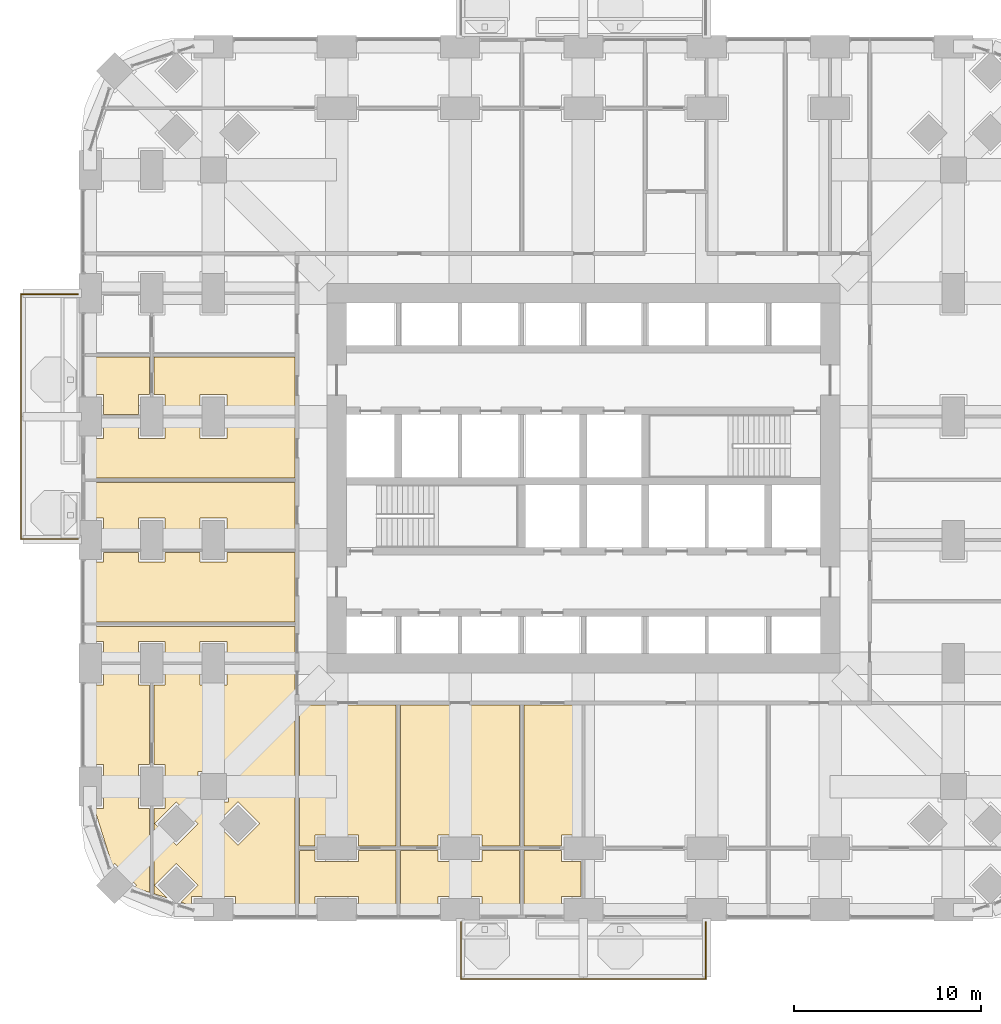
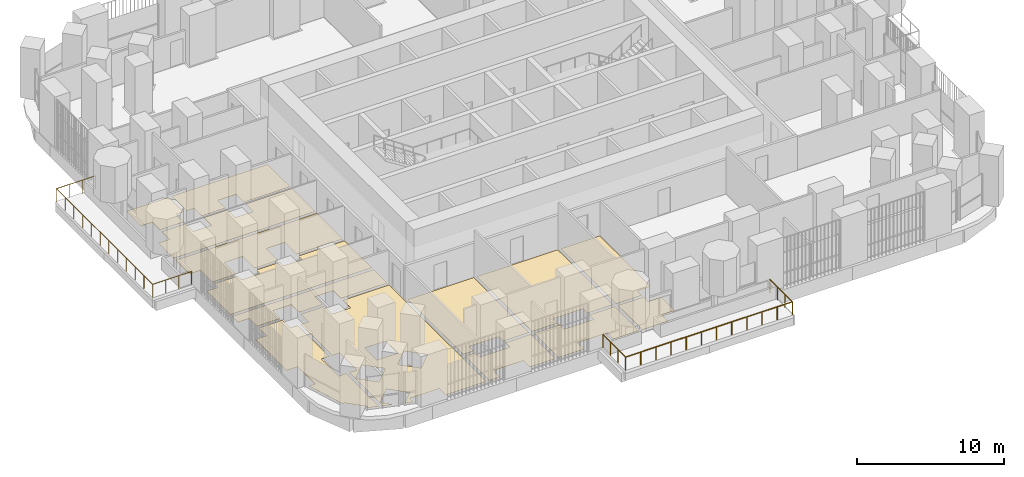
# One storey, part 22 of 26: 14 coverings, 2 railings.
"""IFC4 building model written with IfcOpenShell, lengths in metres."""

from ifc_helpers import new_model, si_unit, direction, frame, origin, place, context, subcontext, project, spatial, polyline, outline, extrude, material, layer, layer_set, type_object, element, save


model = new_model("IFC4")

# Units and contexts
model_context = context("Model", 3, precision=1e-05, world=origin(), true_north=direction((0.0, 1.0)))
body_context = subcontext(model_context, "Body", "Model", "MODEL_VIEW")
ifc_project = project(units=[si_unit("LENGTHUNIT", "METRE"), si_unit("AREAUNIT", "SQUARE_METRE"), si_unit("VOLUMEUNIT", "CUBIC_METRE"), si_unit("PLANEANGLEUNIT", "RADIAN"), si_unit("MASSUNIT", "GRAM", prefix="KILO")], contexts=[model_context])

# Site, building, storey
site_placement = place(None, origin())
site = spatial("IfcSite", under=ifc_project, at=site_placement, CompositionType="ELEMENT")
building_placement = place(site_placement, origin())
building = spatial("IfcBuilding", under=site, at=building_placement, Name="Cobogo Forest Laboratory Tower", CompositionType="ELEMENT")
storey_placement = place(building_placement, frame((0.0, 0.0, 33.89990234375)))
storey = spatial("IfcBuildingStorey", under=building, at=storey_placement, Name="L07", CompositionType="ELEMENT", Elevation=33.89990234375)

# Railings
ifc_material_1 = material(Name="Laminated glass balustrade", Category="glass")
railing_type = type_object("IfcRailingType", Name="BG1 glass balustrade 1100", PredefinedType="GUARDRAIL", material=ifc_material_1)
railing_1_placement = place(storey_placement, frame((19.85009765625, -0.64990234375, 0.0)))
element("IfcRailing", 1, at=railing_1_placement, inside=storey, type_object=railing_type, Name="Balcony balustrade BAL-S1 L07", PredefinedType="GUARDRAIL", context=body_context, shape_type="SweptSolid", body=[
    extrude(outline(polyline([(0.022216796875, 0.00927734375), (0.00927734375, 0.022216796875), (-0.00927734375, 0.022216796875), (-0.022216796875, 0.00927734375), (-0.022216796875, -0.00927734375), (-0.00927734375, -0.022216796875), (0.00927734375, -0.022216796875), (0.022216796875, -0.00927734375), (0.022216796875, 0.00927734375)])), frame((0.0, 0.0, 1.077880859375), z_axis=(0.0, -1.0, 0.0), x_axis=(1.0, 0.0, 0.0)), (0.0, 0.0, 1.0), 3.050048828125),
    extrude(outline(polyline([(0.022216796875, 0.00927734375), (0.00927734375, 0.022216796875), (-0.00927734375, 0.022216796875), (-0.022216796875, 0.00927734375), (-0.022216796875, -0.00927734375), (-0.00927734375, -0.022216796875), (0.00927734375, -0.022216796875), (0.022216796875, -0.00927734375), (0.022216796875, 0.00927734375)])), frame((0.0, -3.050048828125, 1.077880859375), z_axis=(1.0, 0.0, 0.0), x_axis=(0.0, 1.0, 0.0)), (0.0, 0.0, 1.0), 13.099853515625),
    extrude(outline(polyline([(0.022216796875, 0.00927734375), (0.00927734375, 0.022216796875), (-0.00927734375, 0.022216796875), (-0.022216796875, 0.00927734375), (-0.022216796875, -0.00927734375), (-0.00927734375, -0.022216796875), (0.00927734375, -0.022216796875), (0.022216796875, -0.00927734375), (0.022216796875, 0.00927734375)])), frame((13.099853515625, -3.050048828125, 1.077880859375), z_axis=(0.0, 1.0, 0.0), x_axis=(-1.0, 0.0, 0.0)), (0.0, 0.0, 1.0), 3.050048828125),
    extrude(outline(polyline([(0.019287109375, 0.008056640625), (0.008056640625, 0.019287109375), (-0.008056640625, 0.019287109375), (-0.019287109375, 0.008056640625), (-0.019287109375, -0.008056640625), (-0.008056640625, -0.019287109375), (0.008056640625, -0.019287109375), (0.019287109375, -0.008056640625), (0.019287109375, 0.008056640625)])), origin(), (0.0, 0.0, 1.0), 1.077880859375),
    extrude(outline(polyline([(0.019287109375, 0.008056640625), (0.008056640625, 0.019287109375), (-0.008056640625, 0.019287109375), (-0.019287109375, 0.008056640625), (-0.019287109375, -0.008056640625), (-0.008056640625, -0.019287109375), (0.008056640625, -0.019287109375), (0.019287109375, -0.008056640625), (0.019287109375, 0.008056640625)])), frame((0.0, -1.0166015625, 0.0)), (0.0, 0.0, 1.0), 1.077880859375),
    extrude(outline(polyline([(0.019287109375, 0.008056640625), (0.008056640625, 0.019287109375), (-0.008056640625, 0.019287109375), (-0.019287109375, 0.008056640625), (-0.019287109375, -0.008056640625), (-0.008056640625, -0.019287109375), (0.008056640625, -0.019287109375), (0.019287109375, -0.008056640625), (0.019287109375, 0.008056640625)])), frame((0.0, -2.033447265625, 0.0)), (0.0, 0.0, 1.0), 1.077880859375),
    extrude(outline(polyline([(0.019287109375, 0.008056640625), (0.008056640625, 0.019287109375), (-0.008056640625, 0.019287109375), (-0.019287109375, 0.008056640625), (-0.019287109375, -0.008056640625), (-0.008056640625, -0.019287109375), (0.008056640625, -0.019287109375), (0.019287109375, -0.008056640625), (0.019287109375, 0.008056640625)])), frame((0.0, -3.050048828125, 0.0)), (0.0, 0.0, 1.0), 1.077880859375),
    extrude(outline(polyline([(0.019287109375, 0.008056640625), (0.008056640625, 0.019287109375), (-0.008056640625, 0.019287109375), (-0.019287109375, 0.008056640625), (-0.019287109375, -0.008056640625), (-0.008056640625, -0.019287109375), (0.008056640625, -0.019287109375), (0.019287109375, -0.008056640625), (0.019287109375, 0.008056640625)])), frame((1.19091796875, -3.050048828125, 0.0)), (0.0, 0.0, 1.0), 1.077880859375),
    extrude(outline(polyline([(0.019287109375, 0.008056640625), (0.008056640625, 0.019287109375), (-0.008056640625, 0.019287109375), (-0.019287109375, 0.008056640625), (-0.019287109375, -0.008056640625), (-0.008056640625, -0.019287109375), (0.008056640625, -0.019287109375), (0.019287109375, -0.008056640625), (0.019287109375, 0.008056640625)])), frame((2.3818359375, -3.050048828125, 0.0)), (0.0, 0.0, 1.0), 1.077880859375),
    extrude(outline(polyline([(0.019287109375, 0.008056640625), (0.008056640625, 0.019287109375), (-0.008056640625, 0.019287109375), (-0.019287109375, 0.008056640625), (-0.019287109375, -0.008056640625), (-0.008056640625, -0.019287109375), (0.008056640625, -0.019287109375), (0.019287109375, -0.008056640625), (0.019287109375, 0.008056640625)])), frame((3.57275390625, -3.050048828125, 0.0)), (0.0, 0.0, 1.0), 1.077880859375),
    extrude(outline(polyline([(0.019287109375, 0.008056640625), (0.008056640625, 0.019287109375), (-0.008056640625, 0.019287109375), (-0.019287109375, 0.008056640625), (-0.019287109375, -0.008056640625), (-0.008056640625, -0.019287109375), (0.008056640625, -0.019287109375), (0.019287109375, -0.008056640625), (0.019287109375, 0.008056640625)])), frame((4.763671875, -3.050048828125, 0.0)), (0.0, 0.0, 1.0), 1.077880859375),
    extrude(outline(polyline([(0.019287109375, 0.008056640625), (0.008056640625, 0.019287109375), (-0.008056640625, 0.019287109375), (-0.019287109375, 0.008056640625), (-0.019287109375, -0.008056640625), (-0.008056640625, -0.019287109375), (0.008056640625, -0.019287109375), (0.019287109375, -0.008056640625), (0.019287109375, 0.008056640625)])), frame((5.95458984375, -3.050048828125, 0.0)), (0.0, 0.0, 1.0), 1.077880859375),
    extrude(outline(polyline([(0.019287109375, 0.008056640625), (0.008056640625, 0.019287109375), (-0.008056640625, 0.019287109375), (-0.019287109375, 0.008056640625), (-0.019287109375, -0.008056640625), (-0.008056640625, -0.019287109375), (0.008056640625, -0.019287109375), (0.019287109375, -0.008056640625), (0.019287109375, 0.008056640625)])), frame((7.145263671875, -3.050048828125, 0.0)), (0.0, 0.0, 1.0), 1.077880859375),
    extrude(outline(polyline([(0.019287109375, 0.008056640625), (0.008056640625, 0.019287109375), (-0.008056640625, 0.019287109375), (-0.019287109375, 0.008056640625), (-0.019287109375, -0.008056640625), (-0.008056640625, -0.019287109375), (0.008056640625, -0.019287109375), (0.019287109375, -0.008056640625), (0.019287109375, 0.008056640625)])), frame((8.336181640625, -3.050048828125, 0.0)), (0.0, 0.0, 1.0), 1.077880859375),
    extrude(outline(polyline([(0.019287109375, 0.008056640625), (0.008056640625, 0.019287109375), (-0.008056640625, 0.019287109375), (-0.019287109375, 0.008056640625), (-0.019287109375, -0.008056640625), (-0.008056640625, -0.019287109375), (0.008056640625, -0.019287109375), (0.019287109375, -0.008056640625), (0.019287109375, 0.008056640625)])), frame((9.527099609375, -3.050048828125, 0.0)), (0.0, 0.0, 1.0), 1.077880859375),
    extrude(outline(polyline([(0.019287109375, 0.008056640625), (0.008056640625, 0.019287109375), (-0.008056640625, 0.019287109375), (-0.019287109375, 0.008056640625), (-0.019287109375, -0.008056640625), (-0.008056640625, -0.019287109375), (0.008056640625, -0.019287109375), (0.019287109375, -0.008056640625), (0.019287109375, 0.008056640625)])), frame((10.718017578125, -3.050048828125, 0.0)), (0.0, 0.0, 1.0), 1.077880859375),
    extrude(outline(polyline([(0.019287109375, 0.008056640625), (0.008056640625, 0.019287109375), (-0.008056640625, 0.019287109375), (-0.019287109375, 0.008056640625), (-0.019287109375, -0.008056640625), (-0.008056640625, -0.019287109375), (0.008056640625, -0.019287109375), (0.019287109375, -0.008056640625), (0.019287109375, 0.008056640625)])), frame((11.908935546875, -3.050048828125, 0.0)), (0.0, 0.0, 1.0), 1.077880859375),
    extrude(outline(polyline([(0.019287109375, 0.008056640625), (0.008056640625, 0.019287109375), (-0.008056640625, 0.019287109375), (-0.019287109375, 0.008056640625), (-0.019287109375, -0.008056640625), (-0.008056640625, -0.019287109375), (0.008056640625, -0.019287109375), (0.019287109375, -0.008056640625), (0.019287109375, 0.008056640625)])), frame((13.099853515625, -3.050048828125, 0.0)), (0.0, 0.0, 1.0), 1.077880859375),
    extrude(outline(polyline([(0.019287109375, 0.008056640625), (0.008056640625, 0.019287109375), (-0.008056640625, 0.019287109375), (-0.019287109375, 0.008056640625), (-0.019287109375, -0.008056640625), (-0.008056640625, -0.019287109375), (0.008056640625, -0.019287109375), (0.019287109375, -0.008056640625), (0.019287109375, 0.008056640625)])), frame((13.099853515625, -2.033447265625, 0.0)), (0.0, 0.0, 1.0), 1.077880859375),
    extrude(outline(polyline([(0.019287109375, 0.008056640625), (0.008056640625, 0.019287109375), (-0.008056640625, 0.019287109375), (-0.019287109375, 0.008056640625), (-0.019287109375, -0.008056640625), (-0.008056640625, -0.019287109375), (0.008056640625, -0.019287109375), (0.019287109375, -0.008056640625), (0.019287109375, 0.008056640625)])), frame((13.099853515625, -1.0166015625, 0.0)), (0.0, 0.0, 1.0), 1.077880859375),
    extrude(outline(polyline([(0.019287109375, 0.008056640625), (0.008056640625, 0.019287109375), (-0.008056640625, 0.019287109375), (-0.019287109375, 0.008056640625), (-0.019287109375, -0.008056640625), (-0.008056640625, -0.019287109375), (0.008056640625, -0.019287109375), (0.019287109375, -0.008056640625), (0.019287109375, 0.008056640625)])), frame((13.099853515625, 0.0, 0.0)), (0.0, 0.0, 1.0), 1.077880859375),
])
railing_2_placement = place(storey_placement, frame((-0.64990234375, 19.85009765625, 0.0)))
element("IfcRailing", 2, at=railing_2_placement, inside=storey, type_object=railing_type, Name="Balcony balustrade BAL-W1 L07", PredefinedType="GUARDRAIL", context=body_context, shape_type="SweptSolid", body=[
    extrude(outline(polyline([(0.022216796875, 0.00927734375), (0.00927734375, 0.022216796875), (-0.00927734375, 0.022216796875), (-0.022216796875, 0.00927734375), (-0.022216796875, -0.00927734375), (-0.00927734375, -0.022216796875), (0.00927734375, -0.022216796875), (0.022216796875, -0.00927734375), (0.022216796875, 0.00927734375)])), frame((0.0, 0.0, 1.077880859375), z_axis=(-1.0, 0.0, 0.0), x_axis=(0.0, -1.0, 0.0)), (0.0, 0.0, 1.0), 3.050048828125),
    extrude(outline(polyline([(0.022216796875, 0.00927734375), (0.00927734375, 0.022216796875), (-0.00927734375, 0.022216796875), (-0.022216796875, 0.00927734375), (-0.022216796875, -0.00927734375), (-0.00927734375, -0.022216796875), (0.00927734375, -0.022216796875), (0.022216796875, -0.00927734375), (0.022216796875, 0.00927734375)])), frame((-3.050048828125, 0.0, 1.077880859375), z_axis=(0.0, 1.0, 0.0), x_axis=(-1.0, 0.0, 0.0)), (0.0, 0.0, 1.0), 13.099853515625),
    extrude(outline(polyline([(0.022216796875, 0.00927734375), (0.00927734375, 0.022216796875), (-0.00927734375, 0.022216796875), (-0.022216796875, 0.00927734375), (-0.022216796875, -0.00927734375), (-0.00927734375, -0.022216796875), (0.00927734375, -0.022216796875), (0.022216796875, -0.00927734375), (0.022216796875, 0.00927734375)])), frame((-3.050048828125, 13.099853515625, 1.077880859375), z_axis=(1.0, 0.0, 0.0), x_axis=(0.0, 1.0, 0.0)), (0.0, 0.0, 1.0), 3.050048828125),
    extrude(outline(polyline([(0.019287109375, 0.008056640625), (0.008056640625, 0.019287109375), (-0.008056640625, 0.019287109375), (-0.019287109375, 0.008056640625), (-0.019287109375, -0.008056640625), (-0.008056640625, -0.019287109375), (0.008056640625, -0.019287109375), (0.019287109375, -0.008056640625), (0.019287109375, 0.008056640625)])), origin(), (0.0, 0.0, 1.0), 1.077880859375),
    extrude(outline(polyline([(0.019287109375, 0.008056640625), (0.008056640625, 0.019287109375), (-0.008056640625, 0.019287109375), (-0.019287109375, 0.008056640625), (-0.019287109375, -0.008056640625), (-0.008056640625, -0.019287109375), (0.008056640625, -0.019287109375), (0.019287109375, -0.008056640625), (0.019287109375, 0.008056640625)])), frame((-1.0166015625, 0.0, 0.0)), (0.0, 0.0, 1.0), 1.077880859375),
    extrude(outline(polyline([(0.019287109375, 0.008056640625), (0.008056640625, 0.019287109375), (-0.008056640625, 0.019287109375), (-0.019287109375, 0.008056640625), (-0.019287109375, -0.008056640625), (-0.008056640625, -0.019287109375), (0.008056640625, -0.019287109375), (0.019287109375, -0.008056640625), (0.019287109375, 0.008056640625)])), frame((-2.033447265625, 0.0, 0.0)), (0.0, 0.0, 1.0), 1.077880859375),
    extrude(outline(polyline([(0.019287109375, 0.008056640625), (0.008056640625, 0.019287109375), (-0.008056640625, 0.019287109375), (-0.019287109375, 0.008056640625), (-0.019287109375, -0.008056640625), (-0.008056640625, -0.019287109375), (0.008056640625, -0.019287109375), (0.019287109375, -0.008056640625), (0.019287109375, 0.008056640625)])), frame((-3.050048828125, 0.0, 0.0)), (0.0, 0.0, 1.0), 1.077880859375),
    extrude(outline(polyline([(0.019287109375, 0.008056640625), (0.008056640625, 0.019287109375), (-0.008056640625, 0.019287109375), (-0.019287109375, 0.008056640625), (-0.019287109375, -0.008056640625), (-0.008056640625, -0.019287109375), (0.008056640625, -0.019287109375), (0.019287109375, -0.008056640625), (0.019287109375, 0.008056640625)])), frame((-3.050048828125, 1.19091796875, 0.0)), (0.0, 0.0, 1.0), 1.077880859375),
    extrude(outline(polyline([(0.019287109375, 0.008056640625), (0.008056640625, 0.019287109375), (-0.008056640625, 0.019287109375), (-0.019287109375, 0.008056640625), (-0.019287109375, -0.008056640625), (-0.008056640625, -0.019287109375), (0.008056640625, -0.019287109375), (0.019287109375, -0.008056640625), (0.019287109375, 0.008056640625)])), frame((-3.050048828125, 2.3818359375, 0.0)), (0.0, 0.0, 1.0), 1.077880859375),
    extrude(outline(polyline([(0.019287109375, 0.008056640625), (0.008056640625, 0.019287109375), (-0.008056640625, 0.019287109375), (-0.019287109375, 0.008056640625), (-0.019287109375, -0.008056640625), (-0.008056640625, -0.019287109375), (0.008056640625, -0.019287109375), (0.019287109375, -0.008056640625), (0.019287109375, 0.008056640625)])), frame((-3.050048828125, 3.57275390625, 0.0)), (0.0, 0.0, 1.0), 1.077880859375),
    extrude(outline(polyline([(0.019287109375, 0.008056640625), (0.008056640625, 0.019287109375), (-0.008056640625, 0.019287109375), (-0.019287109375, 0.008056640625), (-0.019287109375, -0.008056640625), (-0.008056640625, -0.019287109375), (0.008056640625, -0.019287109375), (0.019287109375, -0.008056640625), (0.019287109375, 0.008056640625)])), frame((-3.050048828125, 4.763671875, 0.0)), (0.0, 0.0, 1.0), 1.077880859375),
    extrude(outline(polyline([(0.019287109375, 0.008056640625), (0.008056640625, 0.019287109375), (-0.008056640625, 0.019287109375), (-0.019287109375, 0.008056640625), (-0.019287109375, -0.008056640625), (-0.008056640625, -0.019287109375), (0.008056640625, -0.019287109375), (0.019287109375, -0.008056640625), (0.019287109375, 0.008056640625)])), frame((-3.050048828125, 5.95458984375, 0.0)), (0.0, 0.0, 1.0), 1.077880859375),
    extrude(outline(polyline([(0.019287109375, 0.008056640625), (0.008056640625, 0.019287109375), (-0.008056640625, 0.019287109375), (-0.019287109375, 0.008056640625), (-0.019287109375, -0.008056640625), (-0.008056640625, -0.019287109375), (0.008056640625, -0.019287109375), (0.019287109375, -0.008056640625), (0.019287109375, 0.008056640625)])), frame((-3.050048828125, 7.145263671875, 0.0)), (0.0, 0.0, 1.0), 1.077880859375),
    extrude(outline(polyline([(0.019287109375, 0.008056640625), (0.008056640625, 0.019287109375), (-0.008056640625, 0.019287109375), (-0.019287109375, 0.008056640625), (-0.019287109375, -0.008056640625), (-0.008056640625, -0.019287109375), (0.008056640625, -0.019287109375), (0.019287109375, -0.008056640625), (0.019287109375, 0.008056640625)])), frame((-3.050048828125, 8.336181640625, 0.0)), (0.0, 0.0, 1.0), 1.077880859375),
    extrude(outline(polyline([(0.019287109375, 0.008056640625), (0.008056640625, 0.019287109375), (-0.008056640625, 0.019287109375), (-0.019287109375, 0.008056640625), (-0.019287109375, -0.008056640625), (-0.008056640625, -0.019287109375), (0.008056640625, -0.019287109375), (0.019287109375, -0.008056640625), (0.019287109375, 0.008056640625)])), frame((-3.050048828125, 9.527099609375, 0.0)), (0.0, 0.0, 1.0), 1.077880859375),
    extrude(outline(polyline([(0.019287109375, 0.008056640625), (0.008056640625, 0.019287109375), (-0.008056640625, 0.019287109375), (-0.019287109375, 0.008056640625), (-0.019287109375, -0.008056640625), (-0.008056640625, -0.019287109375), (0.008056640625, -0.019287109375), (0.019287109375, -0.008056640625), (0.019287109375, 0.008056640625)])), frame((-3.050048828125, 10.718017578125, 0.0)), (0.0, 0.0, 1.0), 1.077880859375),
    extrude(outline(polyline([(0.019287109375, 0.008056640625), (0.008056640625, 0.019287109375), (-0.008056640625, 0.019287109375), (-0.019287109375, 0.008056640625), (-0.019287109375, -0.008056640625), (-0.008056640625, -0.019287109375), (0.008056640625, -0.019287109375), (0.019287109375, -0.008056640625), (0.019287109375, 0.008056640625)])), frame((-3.050048828125, 11.908935546875, 0.0)), (0.0, 0.0, 1.0), 1.077880859375),
    extrude(outline(polyline([(0.019287109375, 0.008056640625), (0.008056640625, 0.019287109375), (-0.008056640625, 0.019287109375), (-0.019287109375, 0.008056640625), (-0.019287109375, -0.008056640625), (-0.008056640625, -0.019287109375), (0.008056640625, -0.019287109375), (0.019287109375, -0.008056640625), (0.019287109375, 0.008056640625)])), frame((-3.050048828125, 13.099853515625, 0.0)), (0.0, 0.0, 1.0), 1.077880859375),
    extrude(outline(polyline([(0.019287109375, 0.008056640625), (0.008056640625, 0.019287109375), (-0.008056640625, 0.019287109375), (-0.019287109375, 0.008056640625), (-0.019287109375, -0.008056640625), (-0.008056640625, -0.019287109375), (0.008056640625, -0.019287109375), (0.019287109375, -0.008056640625), (0.019287109375, 0.008056640625)])), frame((-2.033447265625, 13.099853515625, 0.0)), (0.0, 0.0, 1.0), 1.077880859375),
    extrude(outline(polyline([(0.019287109375, 0.008056640625), (0.008056640625, 0.019287109375), (-0.008056640625, 0.019287109375), (-0.019287109375, 0.008056640625), (-0.019287109375, -0.008056640625), (-0.008056640625, -0.019287109375), (0.008056640625, -0.019287109375), (0.019287109375, -0.008056640625), (0.019287109375, 0.008056640625)])), frame((-1.0166015625, 13.099853515625, 0.0)), (0.0, 0.0, 1.0), 1.077880859375),
    extrude(outline(polyline([(0.019287109375, 0.008056640625), (0.008056640625, 0.019287109375), (-0.008056640625, 0.019287109375), (-0.019287109375, 0.008056640625), (-0.019287109375, -0.008056640625), (-0.008056640625, -0.019287109375), (0.008056640625, -0.019287109375), (0.019287109375, -0.008056640625), (0.019287109375, 0.008056640625)])), frame((0.0, 13.099853515625, 0.0)), (0.0, 0.0, 1.0), 1.077880859375),
])

# Coverings
ifc_material_2 = material(Name="Carpet tile on raised access floor", Category="flooring")
ifc_layer_1 = layer(ifc_material_2, 0.008056640625)
ifc_layer_set_1 = layer_set([ifc_layer_1], Name="CT1 carpet tile floor 8")
covering_type_1 = type_object("IfcCoveringType", Name="CT1 carpet tile floor 8", PredefinedType="FLOORING", material=ifc_layer_set_1)
covering_1_placement = place(storey_placement, origin())
element("IfcCovering", 3, at=covering_1_placement, inside=storey, type_object=covering_type_1, Name="Carpet floor L07-02", PredefinedType="FLOORING", context=body_context, shape_type="SweptSolid", body=[
    extrude(outline(polyline([(12.030029296875, 3.179931640625), (12.030029296875, 2.580078125), (14.3701171875, 2.580078125), (14.3701171875, 3.179931640625), (16.3798828125, 3.179931640625), (16.3798828125, -0.14990234375), (14.3701171875, -0.14990234375), (14.3701171875, 0.719970703125), (12.030029296875, 0.719970703125), (12.030029296875, -0.14990234375), (11.195068359375, -0.14990234375), (11.195068359375, 3.179931640625), (12.030029296875, 3.179931640625)])), origin(), (0.0, 0.0, 1.0), 0.008056640625),
])
covering_2_placement = place(storey_placement, origin())
element("IfcCovering", 4, at=covering_2_placement, inside=storey, type_object=covering_type_1, Name="Carpet floor L07-04", PredefinedType="FLOORING", context=body_context, shape_type="SweptSolid", body=[
    extrude(outline(polyline([(18.6298828125, 3.179931640625), (18.6298828125, 2.580078125), (20.969970703125, 2.580078125), (20.969970703125, 3.179931640625), (22.97998046875, 3.179931640625), (22.97998046875, -0.14990234375), (20.969970703125, -0.14990234375), (20.969970703125, 0.719970703125), (18.6298828125, 0.719970703125), (18.6298828125, -0.14990234375), (16.6201171875, -0.14990234375), (16.6201171875, 3.179931640625), (18.6298828125, 3.179931640625)])), origin(), (0.0, 0.0, 1.0), 0.008056640625),
])
covering_3_placement = place(storey_placement, origin())
element("IfcCovering", 5, at=covering_3_placement, inside=storey, type_object=covering_type_1, Name="Carpet floor L07-06", PredefinedType="FLOORING", context=body_context, shape_type="SweptSolid", body=[
    extrude(outline(polyline([(25.22998046875, 3.179931640625), (25.22998046875, 2.580078125), (26.280029296875, 2.580078125), (26.280029296875, 0.719970703125), (25.22998046875, 0.719970703125), (25.22998046875, -0.14990234375), (23.219970703125, -0.14990234375), (23.219970703125, 3.179931640625), (25.22998046875, 3.179931640625)])), origin(), (0.0, 0.0, 1.0), 0.008056640625),
])
covering_4_placement = place(storey_placement, origin())
element("IfcCovering", 6, at=covering_4_placement, inside=storey, type_object=covering_type_1, Name="Carpet floor L07-29", PredefinedType="FLOORING", context=body_context, shape_type="SweptSolid", body=[
    extrude(outline(polyline([(3.179931640625, 7.77001953125), (2.580078125, 7.77001953125), (2.580078125, 5.429931640625), (3.179931640625, 5.429931640625), (3.179931640625, 0.939697265625), (2.358642578125, 1.19921875), (2.477783203125, 1.318115234375), (1.318115234375, 2.477783203125), (1.19921875, 2.358642578125), (0.229248046875, 5.429931640625), (0.719970703125, 5.429931640625), (0.719970703125, 7.77001953125), (-0.14990234375, 7.77001953125), (-0.14990234375, 12.030029296875), (0.719970703125, 12.030029296875), (0.719970703125, 13.080078125), (2.580078125, 13.080078125), (2.580078125, 12.030029296875), (3.179931640625, 12.030029296875), (3.179931640625, 7.77001953125)])), origin(), (0.0, 0.0, 1.0), 0.008056640625),
])
covering_5_placement = place(storey_placement, origin())
element("IfcCovering", 7, at=covering_5_placement, inside=storey, type_object=covering_type_1, Name="Carpet floor L07-35", PredefinedType="FLOORING", context=body_context, shape_type="SweptSolid", body=[
    extrude(outline(polyline([(3.179931640625, 27.570068359375), (2.580078125, 27.570068359375), (2.580078125, 26.52001953125), (0.719970703125, 26.52001953125), (0.719970703125, 27.570068359375), (-0.14990234375, 27.570068359375), (-0.14990234375, 29.580078125), (3.179931640625, 29.580078125), (3.179931640625, 27.570068359375)])), origin(), (0.0, 0.0, 1.0), 0.008056640625),
])
ifc_material_3 = material(Name="Epoxy resin flooring", Category="flooring")
ifc_layer_2 = layer(ifc_material_3, 0.00390625)
ifc_layer_set_2 = layer_set([ifc_layer_2], Name="LF1 epoxy laboratory floor 4")
covering_type_2 = type_object("IfcCoveringType", Name="LF1 epoxy laboratory floor 4", PredefinedType="FLOORING", material=ifc_layer_set_2)
covering_6_placement = place(storey_placement, origin())
element("IfcCovering", 8, at=covering_6_placement, inside=storey, type_object=covering_type_2, Name="Epoxy laboratory floor L07-01", PredefinedType="FLOORING", context=body_context, shape_type="SweptSolid", body=[
    extrude(outline(polyline([(11.195068359375, 10.955078125), (16.3798828125, 10.955078125), (16.3798828125, 3.419921875), (14.3701171875, 3.419921875), (14.3701171875, 4.02001953125), (12.030029296875, 4.02001953125), (12.030029296875, 3.419921875), (11.195068359375, 3.419921875), (11.195068359375, 10.955078125)])), origin(), (0.0, 0.0, 1.0), 0.004150390625),
])
covering_7_placement = place(storey_placement, origin())
element("IfcCovering", 9, at=covering_7_placement, inside=storey, type_object=covering_type_2, Name="Epoxy laboratory floor L07-03", PredefinedType="FLOORING", context=body_context, shape_type="SweptSolid", body=[
    extrude(outline(polyline([(16.6201171875, 10.955078125), (22.97998046875, 10.955078125), (22.97998046875, 3.419921875), (20.969970703125, 3.419921875), (20.969970703125, 4.02001953125), (18.6298828125, 4.02001953125), (18.6298828125, 3.419921875), (16.6201171875, 3.419921875), (16.6201171875, 10.955078125)])), origin(), (0.0, 0.0, 1.0), 0.004150390625),
])
covering_8_placement = place(storey_placement, origin())
element("IfcCovering", 10, at=covering_8_placement, inside=storey, type_object=covering_type_2, Name="Epoxy laboratory floor L07-05", PredefinedType="FLOORING", context=body_context, shape_type="SweptSolid", body=[
    extrude(outline(polyline([(23.219970703125, 10.955078125), (26.280029296875, 10.955078125), (26.280029296875, 4.02001953125), (25.22998046875, 4.02001953125), (25.22998046875, 3.419921875), (23.219970703125, 3.419921875), (23.219970703125, 10.955078125)])), origin(), (0.0, 0.0, 1.0), 0.004150390625),
])
covering_9_placement = place(storey_placement, origin())
element("IfcCovering", 11, at=covering_9_placement, inside=storey, type_object=covering_type_2, Name="Epoxy laboratory floor L07-28", PredefinedType="FLOORING", context=body_context, shape_type="SweptSolid", body=[
    extrude(outline(polyline([(5.8798828125, 13.080078125), (5.8798828125, 12.030029296875), (7.320068359375, 12.030029296875), (7.320068359375, 13.080078125), (10.955078125, 13.080078125), (10.955078125, -0.14990234375), (7.77001953125, -0.14990234375), (7.77001953125, 0.719970703125), (5.429931640625, 0.719970703125), (5.429931640625, 0.229248046875), (4.86669921875, 0.406982421875), (5.777587890625, 1.318115234375), (4.617919921875, 2.477783203125), (3.458251953125, 1.318115234375), (4.1396484375, 0.63671875), (3.419921875, 0.864013671875), (3.419921875, 5.429931640625), (4.02001953125, 5.429931640625), (4.02001953125, 7.77001953125), (3.419921875, 7.77001953125), (3.419921875, 12.030029296875), (4.02001953125, 12.030029296875), (4.02001953125, 13.080078125), (5.8798828125, 13.080078125)]), holes=[polyline([(7.91796875, 5.777587890625), (6.75830078125, 4.617919921875), (7.91796875, 3.458251953125), (9.07763671875, 4.617919921875), (7.91796875, 5.777587890625)]), polyline([(5.780029296875, 7.419921875), (5.780029296875, 5.780029296875), (7.419921875, 5.780029296875), (7.419921875, 7.419921875), (5.780029296875, 7.419921875)]), polyline([(3.458251953125, 4.617919921875), (4.617919921875, 3.458251953125), (5.777587890625, 4.617919921875), (4.617919921875, 5.777587890625), (3.458251953125, 4.617919921875)])]), origin(), (0.0, 0.0, 1.0), 0.004150390625),
])
ifc_material_4 = material(Name="Ceramic floor tile", Category="flooring")
ifc_layer_3 = layer(ifc_material_4, 0.010009765625)
ifc_layer_set_3 = layer_set([ifc_layer_3], Name="TF1 ceramic tile floor 10")
covering_type_3 = type_object("IfcCoveringType", Name="TF1 ceramic tile floor 10", PredefinedType="FLOORING", material=ifc_layer_set_3)
covering_10_placement = place(storey_placement, origin())
element("IfcCovering", 12, at=covering_10_placement, inside=storey, type_object=covering_type_3, Name="Tile floor L07-30", PredefinedType="FLOORING", context=body_context, shape_type="SweptSolid", body=[
    extrude(outline(polyline([(10.955078125, 13.320068359375), (7.320068359375, 13.320068359375), (7.320068359375, 14.3701171875), (5.8798828125, 14.3701171875), (5.8798828125, 13.320068359375), (4.02001953125, 13.320068359375), (4.02001953125, 14.3701171875), (2.580078125, 14.3701171875), (2.580078125, 13.320068359375), (0.719970703125, 13.320068359375), (0.719970703125, 14.3701171875), (-0.14990234375, 14.3701171875), (-0.14990234375, 15.179931640625), (10.955078125, 15.179931640625), (10.955078125, 13.320068359375)])), origin(), (0.0, 0.0, 1.0), 0.010009765625),
])
covering_11_placement = place(storey_placement, origin())
element("IfcCovering", 13, at=covering_11_placement, inside=storey, type_object=covering_type_3, Name="Tile floor L07-31", PredefinedType="FLOORING", context=body_context, shape_type="SweptSolid", body=[
    extrude(outline(polyline([(10.955078125, 15.419921875), (-0.14990234375, 15.419921875), (-0.14990234375, 18.6298828125), (0.719970703125, 18.6298828125), (0.719970703125, 19.1298828125), (2.580078125, 19.1298828125), (2.580078125, 18.6298828125), (4.02001953125, 18.6298828125), (4.02001953125, 19.1298828125), (5.8798828125, 19.1298828125), (5.8798828125, 18.6298828125), (7.320068359375, 18.6298828125), (7.320068359375, 19.1298828125), (10.955078125, 19.1298828125), (10.955078125, 15.419921875)])), origin(), (0.0, 0.0, 1.0), 0.010009765625),
])
covering_12_placement = place(storey_placement, origin())
element("IfcCovering", 14, at=covering_12_placement, inside=storey, type_object=covering_type_3, Name="Tile floor L07-32", PredefinedType="FLOORING", context=body_context, shape_type="SweptSolid", body=[
    extrude(outline(polyline([(10.955078125, 19.3701171875), (7.320068359375, 19.3701171875), (7.320068359375, 20.969970703125), (5.8798828125, 20.969970703125), (5.8798828125, 19.3701171875), (4.02001953125, 19.3701171875), (4.02001953125, 20.969970703125), (2.580078125, 20.969970703125), (2.580078125, 19.3701171875), (0.719970703125, 19.3701171875), (0.719970703125, 20.969970703125), (-0.14990234375, 20.969970703125), (-0.14990234375, 22.8798828125), (10.955078125, 22.8798828125), (10.955078125, 19.3701171875)])), origin(), (0.0, 0.0, 1.0), 0.010009765625),
])
covering_13_placement = place(storey_placement, origin())
element("IfcCovering", 15, at=covering_13_placement, inside=storey, type_object=covering_type_3, Name="Tile floor L07-33", PredefinedType="FLOORING", context=body_context, shape_type="SweptSolid", body=[
    extrude(outline(polyline([(10.955078125, 23.1201171875), (-0.14990234375, 23.1201171875), (-0.14990234375, 25.22998046875), (0.719970703125, 25.22998046875), (0.719970703125, 26.280029296875), (2.580078125, 26.280029296875), (2.580078125, 25.22998046875), (4.02001953125, 25.22998046875), (4.02001953125, 26.280029296875), (5.8798828125, 26.280029296875), (5.8798828125, 25.22998046875), (7.320068359375, 25.22998046875), (7.320068359375, 26.280029296875), (10.955078125, 26.280029296875), (10.955078125, 23.1201171875)])), origin(), (0.0, 0.0, 1.0), 0.010009765625),
])
covering_14_placement = place(storey_placement, origin())
element("IfcCovering", 16, at=covering_14_placement, inside=storey, type_object=covering_type_3, Name="Tile floor L07-34", PredefinedType="FLOORING", context=body_context, shape_type="SweptSolid", body=[
    extrude(outline(polyline([(3.419921875, 29.580078125), (10.955078125, 29.580078125), (10.955078125, 26.52001953125), (7.320068359375, 26.52001953125), (7.320068359375, 27.570068359375), (5.8798828125, 27.570068359375), (5.8798828125, 26.52001953125), (4.02001953125, 26.52001953125), (4.02001953125, 27.570068359375), (3.419921875, 27.570068359375), (3.419921875, 29.580078125)])), origin(), (0.0, 0.0, 1.0), 0.010009765625),
])

save(model, "model.ifc")
